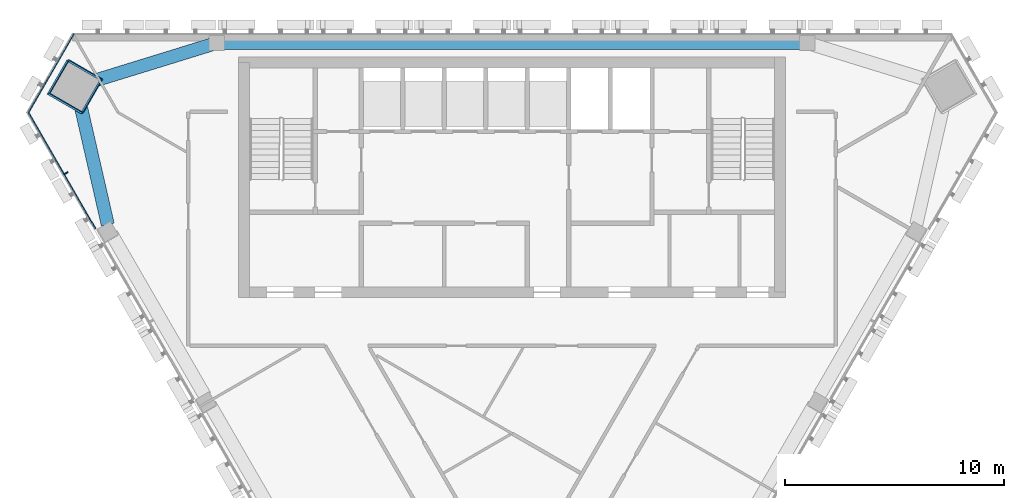
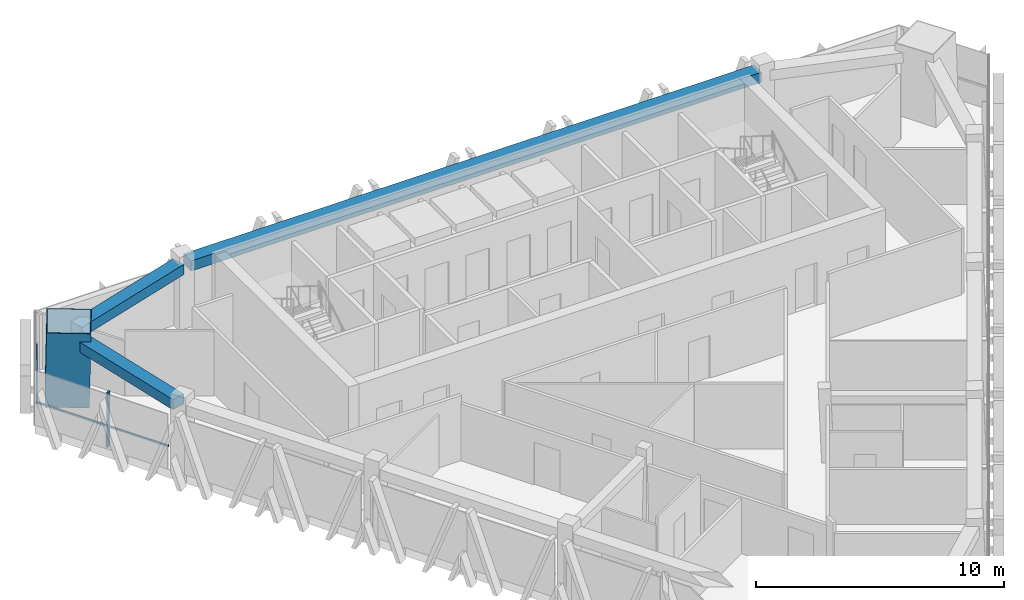
# One storey, part 5 of 12: 4 members, 3 beams, 2 elements without a shape of their own.
"""IFC4 building model written with IfcOpenShell, lengths in metres."""

from ifc_helpers import new_model, si_unit, direction, frame, origin, origin_2d, place, context, subcontext, project, spatial, rectangle, hollow_rectangle, extrude, material, layer, layer_set, material_profile, profile_set, type_object, element, aggregate, save


model = new_model("IFC4")

# Units and contexts
model_context = context("Model", 3, precision=1e-05, world=origin(), true_north=direction((0.0, 1.0)))
body_context = subcontext(model_context, "Body", "Model", "MODEL_VIEW")
ifc_project = project(units=[si_unit("LENGTHUNIT", "METRE"), si_unit("AREAUNIT", "SQUARE_METRE"), si_unit("VOLUMEUNIT", "CUBIC_METRE"), si_unit("PLANEANGLEUNIT", "RADIAN"), si_unit("MASSUNIT", "GRAM", prefix="KILO")], contexts=[model_context])

# Site, building, storey
site_placement = place(None, origin())
site = spatial("IfcSite", under=ifc_project, at=site_placement, CompositionType="ELEMENT")
building_placement = place(site_placement, origin())
building = spatial("IfcBuilding", under=site, at=building_placement, Name="Altiplano Prism Tower", CompositionType="ELEMENT")
storey_placement = place(building_placement, frame((0.0, 0.0, 298.60009765625)))
storey = spatial("IfcBuildingStorey", under=building, at=storey_placement, Name="L77", CompositionType="ELEMENT", Elevation=298.60009765625)

# Curtain wall, member
ifc_material_1 = material(Name="Aluminium and glass", Category="aluminium")
ifc_layer = layer(ifc_material_1, 0.280029296875)
ifc_layer_set = layer_set([ifc_layer], Name="Aluminium and glass")
curtain_wall_type = type_object("IfcCurtainWallType", Name="CW1 typical co-living unitised curtain wall", PredefinedType="NOTDEFINED", material=ifc_layer_set)
curtain_wall_1_placement = place(storey_placement, origin())
curtain_wall_1 = element("IfcCurtainWall", 1, at=curtain_wall_1_placement, inside=storey, type_object=curtain_wall_type, Name="CW1 curtain wall south-west face L77", PredefinedType="NOTDEFINED")
ifc_material_2 = material(Name="Aluminium", Category="aluminium")
ifc_material_profile_1 = material_profile(ifc_material_2, rectangle(XDim=0.179931640625, YDim=0.06494140625, at=origin_2d()), Name="CW1 mullion 65 x 180")
ifc_profile_set_1 = profile_set([ifc_material_profile_1], Name="Aluminium")
member_type_1 = type_object("IfcMemberType", Name="CW1 mullion 65 x 180", PredefinedType="MULLION", material=ifc_profile_set_1)
member_1_placement = place(storey_placement, frame((64.610107421875, 98.601318359375, 0.0), z_axis=(0.0, 0.0, 1.0), x_axis=(0.866025408008, 0.499999992684, 0.0)))
member_1 = element("IfcMember", 2, at=member_1_placement, type_object=member_type_1, Name="CW1 mullion", PredefinedType="MULLION", context=body_context, shape_type="SweptSolid", body=[
    extrude(rectangle(XDim=0.179931640625, YDim=0.06494140625, at=origin_2d()), origin(), (0.0, 0.0, 1.0), 2.699951171875),
])

curtain_wall_2_placement = place(storey_placement, origin())
curtain_wall_2 = element("IfcCurtainWall", 3, at=curtain_wall_2_placement, inside=storey, type_object=curtain_wall_type, Name="CW1 curtain wall north-west chamfer L77", PredefinedType="NOTDEFINED")
ifc_material_profile_2 = material_profile(ifc_material_2, rectangle(XDim=0.06005859375, YDim=0.080078125, at=origin_2d()), Name="CW1 transom 80 x 60")
ifc_profile_set_2 = profile_set([ifc_material_profile_2], Name="Aluminium")
member_type_2 = type_object("IfcMemberType", Name="CW1 transom 80 x 60", PredefinedType="USERDEFINED", material=ifc_profile_set_2)
member_2_placement = place(storey_placement, frame((64.9501953125, 104.965087890625, 1.099853515625), z_axis=(-0.50002148843, -0.866012997078, 0.0), x_axis=(0.866012997078, -0.50002148843, 0.0)))
member_2 = element("IfcMember", 4, at=member_2_placement, type_object=member_type_2, Name="CW1 transom", ObjectType="TRANSOM", PredefinedType="USERDEFINED", context=body_context, shape_type="SweptSolid", body=[
    extrude(rectangle(XDim=0.06005859375, YDim=0.080078125, at=origin_2d()), origin(), (0.0, 0.0, 1.0), 4.193115234375),
])
aggregate(curtain_wall_2, [member_2])

# Member
member_3_placement = place(storey_placement, frame((62.853515625, 101.40380859375, 1.099853515625), z_axis=(0.500017636628, -0.866015221033, 0.0), x_axis=(0.866015221033, 0.500017636628, 0.0)))
member_3 = element("IfcMember", 5, at=member_3_placement, type_object=member_type_2, Name="CW1 transom", ObjectType="TRANSOM", PredefinedType="USERDEFINED", context=body_context, shape_type="SweptSolid", body=[
    extrude(rectangle(XDim=0.06005859375, YDim=0.080078125, at=origin_2d()), origin(), (0.0, 0.0, 1.0), 6.180908203125),
])

aggregate(curtain_wall_1, [member_1, member_3])

# Beams
ifc_material_3 = material(Name="Concrete C60/75", Category="concrete")
ifc_material_profile_3 = material_profile(ifc_material_3, rectangle(XDim=0.60009765625, YDim=0.5, at=origin_2d()), Name="Edge beam 600x500")
ifc_profile_set_3 = profile_set([ifc_material_profile_3], Name="Concrete C60/75")
beam_type = type_object("IfcBeamType", Name="Edge beam 600x500", PredefinedType="SPANDREL", material=ifc_profile_set_3)
beam_1_placement = place(storey_placement, frame((98.27001953125, 104.550048828125, 2.949951171875), z_axis=(-1.0, 0.0, 0.0), x_axis=(0.0, -1.0, 0.0)))
element("IfcBeam", 6, at=beam_1_placement, inside=storey, type_object=beam_type, Name="Edge beam P01-P04 L78", PredefinedType="SPANDREL", context=body_context, shape_type="SweptSolid", body=[
    extrude(rectangle(XDim=0.60009765625, YDim=0.5, at=origin_2d()), origin(), (0.0, 0.0, 1.0), 26.5400390625),
])
beam_2_placement = place(storey_placement, frame((71.2646484375, 104.4775390625, 2.949951171875), z_axis=(-0.955621379602, -0.294597655876, 0.0), x_axis=(0.294597655876, -0.955621379602, 0.0)))
element("IfcBeam", 7, at=beam_2_placement, inside=storey, type_object=beam_type, Name="Edge beam P04-M0 L78", PredefinedType="SPANDREL", context=body_context, shape_type="SweptSolid", body=[
    extrude(rectangle(XDim=0.60009765625, YDim=0.5, at=origin_2d()), origin(), (0.0, 0.0, 1.0), 6.033203125),
])
beam_3_placement = place(storey_placement, frame((65.169677734375, 102.12890625, 2.949951171875), z_axis=(0.22269843352, -0.974887382064, 0.0), x_axis=(0.974887382064, 0.22269843352, 0.0)))
element("IfcBeam", 8, at=beam_3_placement, inside=storey, type_object=beam_type, Name="Edge beam M0-P11 L78", PredefinedType="SPANDREL", context=body_context, shape_type="SweptSolid", body=[
    extrude(rectangle(XDim=0.60009765625, YDim=0.5, at=origin_2d()), origin(), (0.0, 0.0, 1.0), 6.032958984375),
])

# Member
ifc_material_4 = material(Name="Steel S460", Category="steel")
ifc_material_profile_4 = material_profile(ifc_material_4, hollow_rectangle(XDim=1.800048828125, YDim=1.800048828125, WallThickness=0.0400390625, at=origin_2d()), Name="Mega column tube 1800")
ifc_profile_set_4 = profile_set([ifc_material_profile_4], Name="Steel S460")
member_type_3 = type_object("IfcMemberType", Name="Mega column tube 1800", PredefinedType="POST", material=ifc_profile_set_4)
member_4_placement = place(storey_placement, frame((64.967041015625, 102.534423828125, 0.0), z_axis=(0.028403739082, 0.009219352065, 0.999554016126), x_axis=(-0.865124358675, 0.501160044901, 0.019961298079)))
element("IfcMember", 9, at=member_4_placement, inside=storey, type_object=member_type_3, Name="Mega column tube M0 L77", PredefinedType="POST", context=body_context, shape_type="SweptSolid", body=[
    extrude(hollow_rectangle(XDim=1.800048828125, YDim=1.800048828125, WallThickness=0.0400390625, at=origin_2d()), origin(), (0.0, 0.0, 1.0), 3.6015625),
])

save(model, "model.ifc")
